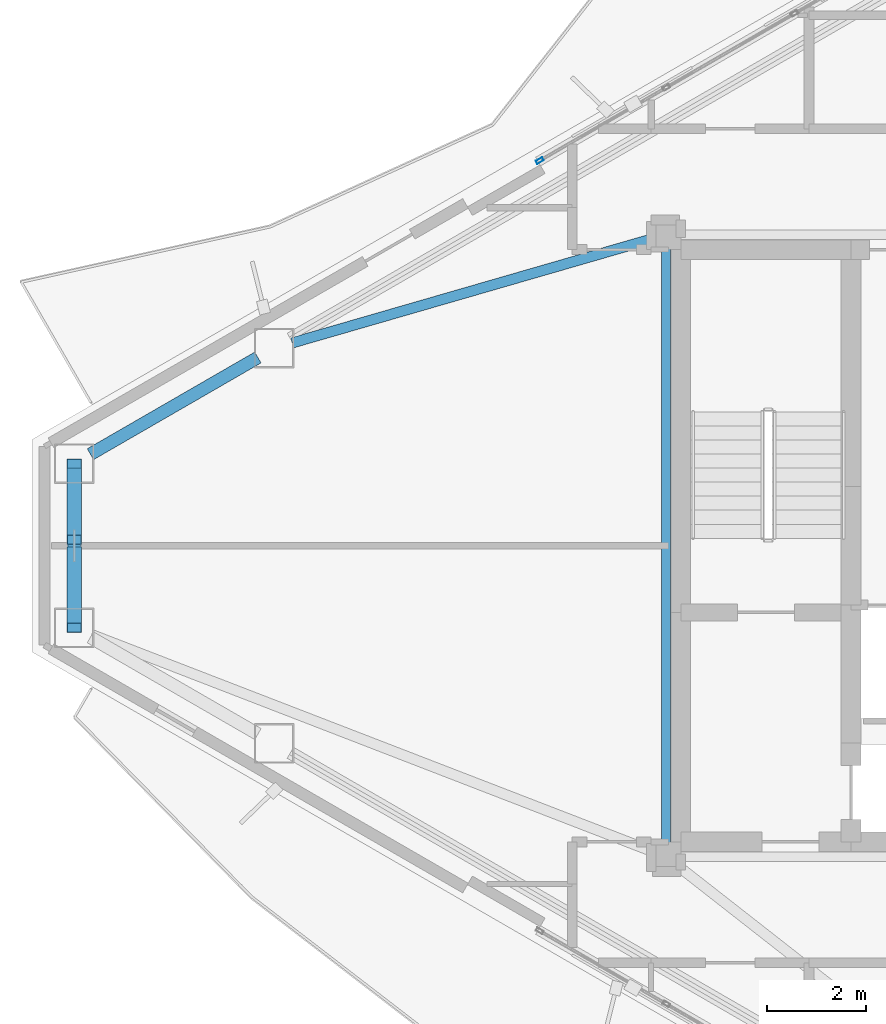
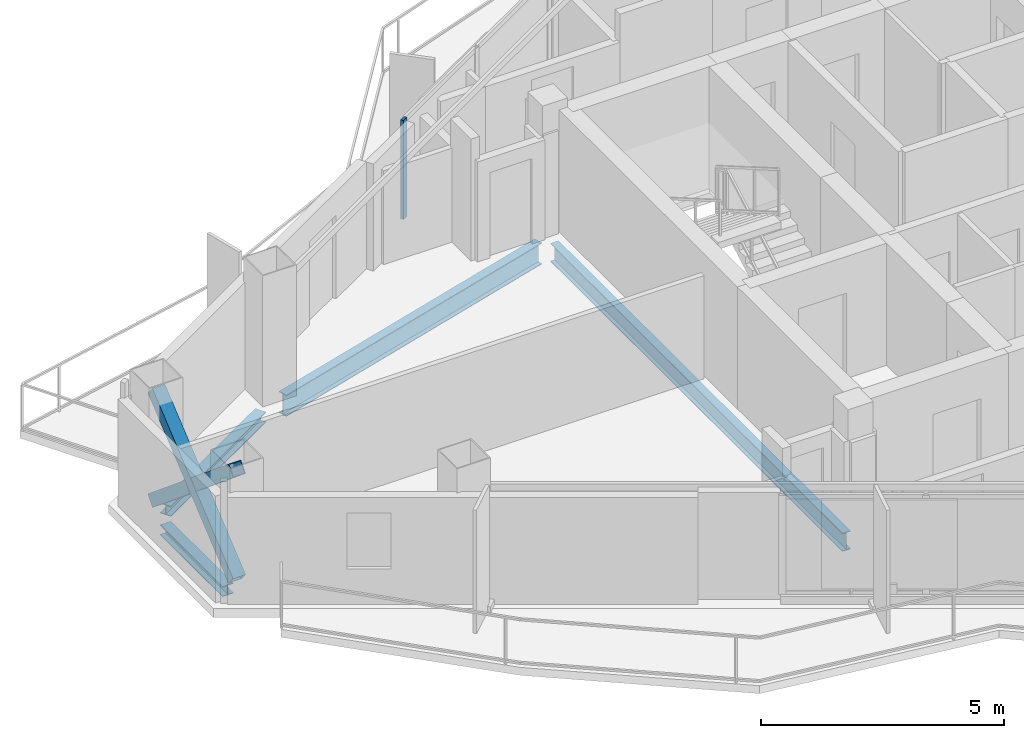
# One storey, part 7 of 22: 4 beams, 4 members, 1 element without a shape of its own.
"""IFC4 building model written with IfcOpenShell, lengths in metres."""

from ifc_helpers import new_model, si_unit, direction, frame, origin, origin_2d, place, context, subcontext, project, spatial, hollow_rectangle, i_section, extrude, material, layer, layer_set, material_profile, profile_set, type_object, element, aggregate, save


model = new_model("IFC4")

# Units and contexts
model_context = context("Model", 3, precision=1e-05, world=origin(), true_north=direction((0.0, 1.0)))
body_context = subcontext(model_context, "Body", "Model", "MODEL_VIEW")
ifc_project = project(units=[si_unit("LENGTHUNIT", "METRE"), si_unit("AREAUNIT", "SQUARE_METRE"), si_unit("VOLUMEUNIT", "CUBIC_METRE"), si_unit("PLANEANGLEUNIT", "RADIAN"), si_unit("MASSUNIT", "GRAM", prefix="KILO")], contexts=[model_context])

# Site, building, storey
site_placement = place(None, origin())
site = spatial("IfcSite", under=ifc_project, at=site_placement, CompositionType="ELEMENT")
building_placement = place(site_placement, origin())
building = spatial("IfcBuilding", under=site, at=building_placement, Name="Mersakhor Tower and Convention Hall", CompositionType="ELEMENT")
storey_placement = place(building_placement, frame((0.0, 0.0, 208.5)))
storey = spatial("IfcBuildingStorey", under=building, at=storey_placement, Name="L58", CompositionType="ELEMENT", Elevation=208.5)

# Beams
ifc_material_1 = material(Name="Steel S355", Category="steel")
ifc_material_profile_1 = material_profile(ifc_material_1, i_section(OverallWidth=0.19140625, OverallDepth=0.4599609375, WebThickness=0.010009765625, FlangeThickness=0.01611328125, at=origin_2d()), Name="UB 457x191x82")
ifc_profile_set_1 = profile_set([ifc_material_profile_1], Name="Steel S355")
beam_type_1 = type_object("IfcBeamType", Name="BM-FB-457", PredefinedType="BEAM", material=ifc_profile_set_1)
beam_1_placement = place(storey_placement, frame((21.89990234375, 20.72998046875, -0.4599609375), z_axis=(0.0, 1.0, 0.0), x_axis=(-1.0, 0.0, 0.0)))
element("IfcBeam", 1, at=beam_1_placement, inside=storey, type_object=beam_type_1, Name="L58 Core Ring Tie Beam CRB-1", PredefinedType="BEAM", context=body_context, shape_type="SweptSolid", body=[
    extrude(i_section(OverallWidth=0.19140625, OverallDepth=0.4599609375, WebThickness=0.010009765625, FlangeThickness=0.01611328125, at=origin_2d()), origin(), (0.0, 0.0, 1.0), 12.0400390625),
])
ifc_material_2 = material(Name="Steel S355", Category="steel")
ifc_material_profile_2 = material_profile(ifc_material_2, i_section(OverallWidth=0.2099609375, OverallDepth=0.53662109375, WebThickness=0.0107421875, FlangeThickness=0.017333984375, at=origin_2d()), Name="UB 533x210x101")
ifc_profile_set_2 = profile_set([ifc_material_profile_2], Name="Steel S355")
beam_type_2 = type_object("IfcBeamType", Name="BM-FB-533", PredefinedType="BEAM", material=ifc_profile_set_2)
beam_2_placement = place(storey_placement, frame((21.631103515625, 32.97216796875, -0.498291015625), z_axis=(-0.960673848118, -0.277679234987, 0.0), x_axis=(0.277679234987, -0.960673848118, 0.0)))
element("IfcBeam", 2, at=beam_2_placement, inside=storey, type_object=beam_type_2, Name="L58 Primary Floor Girder FG-1", PredefinedType="BEAM", context=body_context, shape_type="SweptSolid", body=[
    extrude(i_section(OverallWidth=0.2099609375, OverallDepth=0.53662109375, WebThickness=0.0107421875, FlangeThickness=0.017333984375, at=origin_2d()), origin(), (0.0, 0.0, 1.0), 7.605224609375),
])
ifc_material_3 = material(Name="Steel S355", Category="steel")
ifc_material_profile_3 = material_profile(ifc_material_3, i_section(OverallWidth=0.25634765625, OverallDepth=0.26025390625, WebThickness=0.01025390625, FlangeThickness=0.017333984375, at=origin_2d()), Name="UC 254x254x89")
ifc_profile_set_3 = profile_set([ifc_material_profile_3], Name="Steel S355")
beam_type_3 = type_object("IfcBeamType", Name="BM-SPD-UC254", PredefinedType="SPANDREL", material=ifc_profile_set_3)
beam_3_placement = place(storey_placement, frame((10.236572265625, 28.605224609375, -0.360107421875), z_axis=(0.866007153761, 0.500031608635, 0.0), x_axis=(-0.500031608635, 0.866007153761, 0.0)))
element("IfcBeam", 3, at=beam_3_placement, inside=storey, type_object=beam_type_3, Name="L58 Perimeter Spandrel Beam SPB-01", PredefinedType="SPANDREL", context=body_context, shape_type="SweptSolid", body=[
    extrude(i_section(OverallWidth=0.25634765625, OverallDepth=0.26025390625, WebThickness=0.01025390625, FlangeThickness=0.017333984375, at=origin_2d()), origin(), (0.0, 0.0, 1.0), 3.919189453125),
])
beam_4_placement = place(storey_placement, frame((9.907470703125, 25.464599609375, -0.360107421875), z_axis=(0.0, 1.0, 0.0), x_axis=(-1.0, 0.0, 0.0)))
element("IfcBeam", 4, at=beam_4_placement, inside=storey, type_object=beam_type_3, Name="L58 Perimeter Spandrel Beam SPB-12", PredefinedType="SPANDREL", context=body_context, shape_type="SweptSolid", body=[
    extrude(i_section(OverallWidth=0.25634765625, OverallDepth=0.26025390625, WebThickness=0.01025390625, FlangeThickness=0.017333984375, at=origin_2d()), origin(), (0.0, 0.0, 1.0), 2.57080078125),
])

# Curtain wall, member
ifc_material_4 = material(Name="Dark solar low-E aluminium curtain wall", Category="aluminium")
ifc_layer = layer(ifc_material_4, 0.169921875)
ifc_layer_set = layer_set([ifc_layer], Name="Dark solar low-E aluminium curtain wall")
curtain_wall_type = type_object("IfcCurtainWallType", Name="CW-SYS-02", PredefinedType="USERDEFINED", material=ifc_layer_set)
curtain_wall_placement = place(storey_placement, origin())
curtain_wall = element("IfcCurtainWall", 5, at=curtain_wall_placement, inside=storey, type_object=curtain_wall_type, Name="L58 Dark-Glass Curtain Wall F1-B2", ObjectType="CURTAIN WALL", PredefinedType="USERDEFINED")
ifc_material_5 = material(Name="Anodised aluminium EN AW-6063 T6", Category="aluminium")
ifc_material_profile_4 = material_profile(ifc_material_5, hollow_rectangle(XDim=0.074951171875, YDim=0.14990234375, WallThickness=0.00634765625, at=origin_2d()), Name="RHS 150x75x6.3")
ifc_profile_set_4 = profile_set([ifc_material_profile_4], Name="Anodised aluminium EN AW-6063 T6")
member_type_1 = type_object("IfcMemberType", Name="CWM-150x75", PredefinedType="MULLION", material=ifc_profile_set_4)
member_1_placement = place(storey_placement, frame((19.341796875, 34.554931640625, 0.199951171875), z_axis=(0.0, 0.0, 1.0), x_axis=(-0.500007824483, 0.86602088627, 0.0)))
member_1 = element("IfcMember", 6, at=member_1_placement, type_object=member_type_1, Name="CW-02 mullion 1", PredefinedType="MULLION", context=body_context, shape_type="SweptSolid", body=[
    extrude(hollow_rectangle(XDim=0.074951171875, YDim=0.14990234375, WallThickness=0.00634765625, at=origin_2d()), origin(), (0.0, 0.0, 1.0), 2.489990234375),
])
aggregate(curtain_wall, [member_1])

# Members
ifc_material_6 = material(Name="Steel S355", Category="steel")
ifc_material_profile_5 = material_profile(ifc_material_6, hollow_rectangle(XDim=0.300048828125, YDim=0.300048828125, WallThickness=0.01611328125, at=origin_2d()), Name="SHS 300x300x16")
ifc_profile_set_5 = profile_set([ifc_material_profile_5], Name="Steel S355")
member_type_2 = type_object("IfcMemberType", Name="MB-BRC-SHS300", PredefinedType="BRACE", material=ifc_profile_set_5)
member_2_placement = place(storey_placement, frame((9.907470703125, 25.084716796875, 0.14990234375), z_axis=(0.0, 0.768839937868, 0.639441279508), x_axis=(-1.0, 0.0, 0.0)))
element("IfcMember", 7, at=member_2_placement, inside=storey, type_object=member_type_2, Name="L58 Chamfer Braced Frame Diagonal CB-3A", PredefinedType="BRACE", context=body_context, shape_type="SweptSolid", body=[
    extrude(hollow_rectangle(XDim=0.300048828125, YDim=0.300048828125, WallThickness=0.01611328125, at=origin_2d()), origin(), (0.0, 0.0, 1.0), 4.33203125),
])
member_3_placement = place(storey_placement, frame((9.907470703125, 28.415283203125, 0.14990234375), z_axis=(0.0, -0.768839543052, 0.63944175422), x_axis=(1.0, 0.0, 0.0)))
element("IfcMember", 8, at=member_3_placement, inside=storey, type_object=member_type_2, Name="L58 Chamfer Braced Frame Diagonal CB-3B Lower Half", PredefinedType="BRACE", context=body_context, shape_type="SweptSolid", body=[
    extrude(hollow_rectangle(XDim=0.300048828125, YDim=0.300048828125, WallThickness=0.01611328125, at=origin_2d()), origin(), (0.0, 0.0, 1.0), 2.005615234375),
])
member_4_placement = place(storey_placement, frame((9.907470703125, 26.626708984375, 1.6376953125), z_axis=(0.0, -0.768899389676, 0.639369790149), x_axis=(1.0, 0.0, 0.0)))
element("IfcMember", 9, at=member_4_placement, inside=storey, type_object=member_type_2, Name="L58 Chamfer Braced Frame Diagonal CB-3B Upper Half", PredefinedType="BRACE", context=body_context, shape_type="SweptSolid", body=[
    extrude(hollow_rectangle(XDim=0.300048828125, YDim=0.300048828125, WallThickness=0.01611328125, at=origin_2d()), origin(), (0.0, 0.0, 1.0), 2.00537109375),
])

save(model, "model.ifc")
